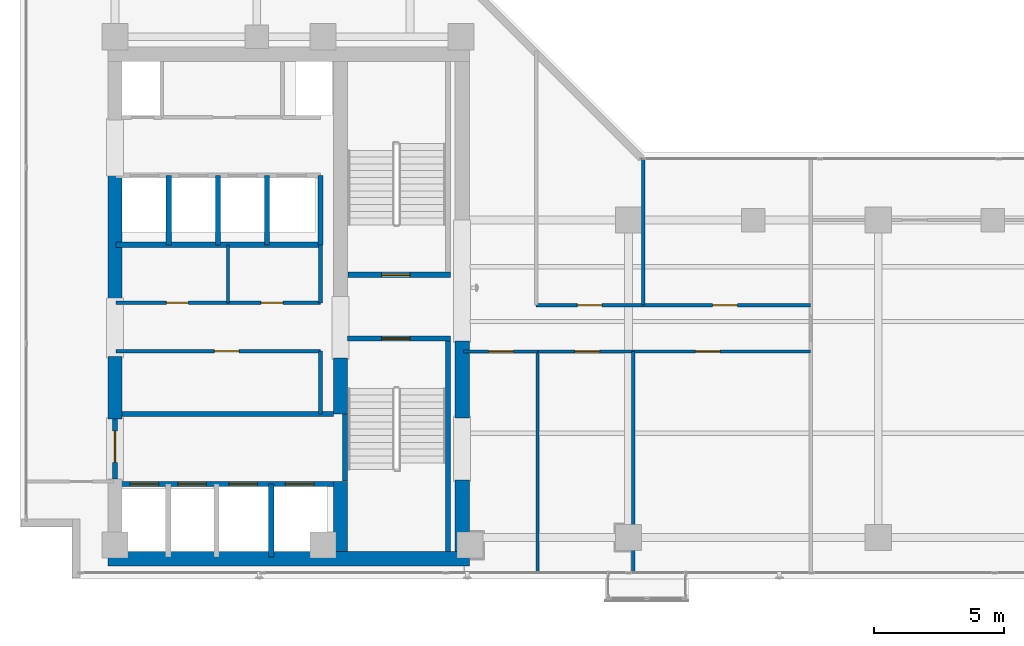
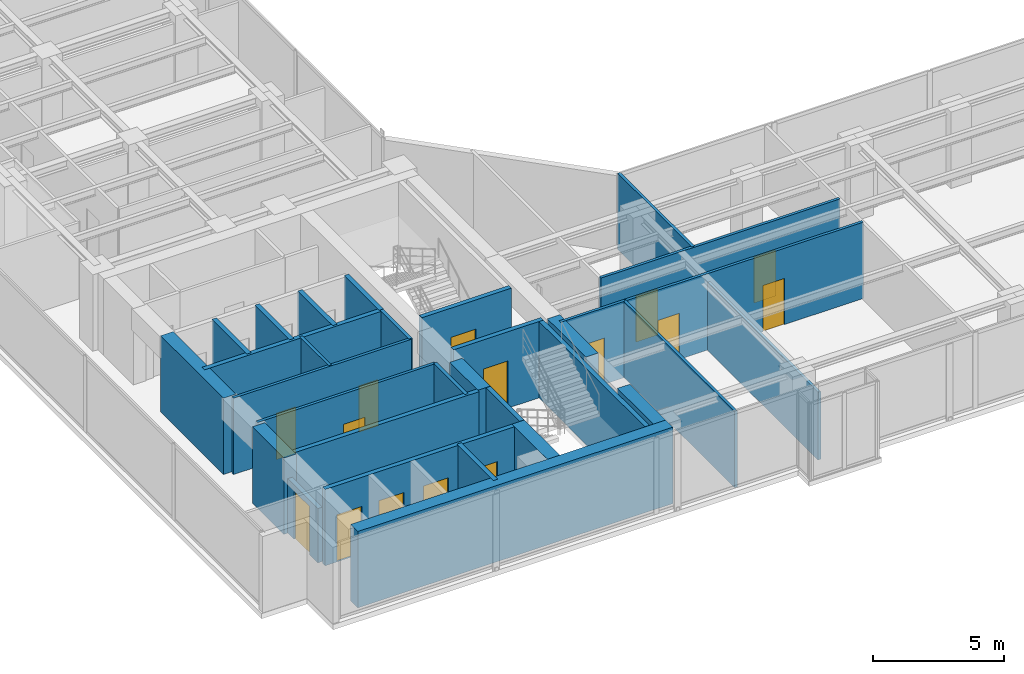
# One storey, part 17 of 23: 31 walls, 15 doors, 15 openings.
"""IFC4 building model written with IfcOpenShell, lengths in metres."""

import ifcopenshell
import ifcopenshell.guid

model = None  # the IFC model being written
_history = None  # IfcOwnerHistory: only IFC2X3 demands one
_inside = {}  # id of a spatial element -> (the spatial element, [elements in it])
_under = {}  # id of a project, library or spatial element -> (it, [spatial elements below it])
_declared = {}  # id of a project -> (the project, [libraries it declares])
_typed = {}  # id of a type object -> (the type object, [elements of that type])
_made_of = {}  # id of a material, layer set ... -> (it, [elements and type objects made of it])


def new_model(schema):
    """Start an empty IFC model of exactly this schema.

    Asked for "IFC4X3", IfcOpenShell would pick the latest addendum, in which some entities
    have other attributes; the version numbers below select the first issue.
    IFC2X3 requires an IfcOwnerHistory on every rooted entity: one is made here for all.
    """
    global model, _history
    if schema == "IFC4X3":
        model = ifcopenshell.file(schema_version=(4, 3, 0, 0))
    else:
        model = ifcopenshell.file(schema=schema)
    _inside.clear()
    _under.clear()
    _declared.clear()
    _typed.clear()
    _made_of.clear()
    _history = None
    if model.schema == "IFC2X3":
        org = make("IfcOrganization", Name="unknown")
        user = make(
            "IfcPersonAndOrganization",
            ThePerson=make("IfcPerson", FamilyName="unknown"),
            TheOrganization=org,
        )
        app = make(
            "IfcApplication",
            ApplicationDeveloper=org,
            Version="unknown",
            ApplicationFullName="unknown",
            ApplicationIdentifier="unknown",
        )
        _history = make(
            "IfcOwnerHistory",
            OwningUser=user,
            OwningApplication=app,
            ChangeAction="ADDED",
            CreationDate=0,
        )
    return model


def make(cls, **values):
    """One entity of the class cls with the attributes given. An attribute that is None is left unset."""
    return model.create_entity(
        cls, **{name: value for name, value in values.items() if value is not None}
    )


def rooted(cls, **values):
    """An entity with a GlobalId (a new one), such as an element, a storey or a relation."""
    return make(cls, GlobalId=ifcopenshell.guid.new(), OwnerHistory=_history, **values)


def si_unit(unit_type, name, prefix=None):
    """IfcSIUnit, for example si_unit("LENGTHUNIT", "METRE", prefix="MILLI")."""
    return make("IfcSIUnit", UnitType=unit_type, Prefix=prefix, Name=name)


def assignment(units):
    """IfcUnitAssignment: the units of a project."""
    return None if units is None else make("IfcUnitAssignment", Units=units)


def point(xyz):
    """IfcCartesianPoint."""
    return None if xyz is None else make("IfcCartesianPoint", Coordinates=xyz)


def direction(xyz):
    """IfcDirection."""
    return None if xyz is None else make("IfcDirection", DirectionRatios=xyz)


def frame(location, z_axis=None, x_axis=None):
    """IfcAxis2Placement3D, a coordinate frame: its origin and axes. An axis left out is left unset."""
    return make(
        "IfcAxis2Placement3D",
        Location=point(location),
        Axis=direction(z_axis),
        RefDirection=direction(x_axis),
    )


def frame_2d(location, x_axis=None):
    """IfcAxis2Placement2D, a coordinate frame in the plane: its origin and x axis."""
    return make(
        "IfcAxis2Placement2D", Location=point(location), RefDirection=direction(x_axis)
    )


def origin():
    """The frame at (0, 0, 0) with its axes left unset."""
    return frame((0.0, 0.0, 0.0))


def place(relative_to, where):
    """IfcLocalPlacement: puts the frame where relative to a parent placement (None: the world)."""
    return make(
        "IfcLocalPlacement", PlacementRelTo=relative_to, RelativePlacement=where
    )


def context(
    kind, dimensions, precision=None, world=None, true_north=None, identifier=None
):
    """IfcGeometricRepresentationContext, for example the 3D "Model" context."""
    return make(
        "IfcGeometricRepresentationContext",
        ContextIdentifier=identifier,
        ContextType=kind,
        CoordinateSpaceDimension=dimensions,
        Precision=precision,
        WorldCoordinateSystem=world,
        TrueNorth=true_north,
    )


def subcontext(parent, identifier, kind, view, scale=None):
    """IfcGeometricRepresentationSubContext, for example "Body" below "Model"."""
    return make(
        "IfcGeometricRepresentationSubContext",
        ContextIdentifier=identifier,
        ContextType=kind,
        ParentContext=parent,
        TargetScale=scale,
        TargetView=view,
    )


def project(units=None, contexts=None):
    """IfcProject with its units and contexts."""
    return rooted(
        "IfcProject",
        Name="project",
        RepresentationContexts=contexts,
        UnitsInContext=assignment(units),
    )


def spatial(cls, under=None, at=None, **own):
    """A site, building, storey or space (cls), placed at a placement, below another one or the project."""
    s = rooted(cls, ObjectPlacement=at, **own)
    if under is not None:
        _under.setdefault(under.id(), (under, []))[1].append(s)
    return s


def profile(cls, at=None, kind="AREA", **sizes):
    """A parametric profile (cls). Its sizes go by their IFC names, for example OverallWidth=200.0."""
    return make(cls, ProfileType=kind, Position=at, **sizes)


def rectangle(**sizes):
    """IfcRectangleProfileDef."""
    return profile("IfcRectangleProfileDef", **sizes)


def extrude(swept, where, along, depth):
    """IfcExtrudedAreaSolid: the profile swept, set in the frame where, extruded along a direction by depth."""
    return make(
        "IfcExtrudedAreaSolid",
        SweptArea=swept,
        Position=where,
        ExtrudedDirection=direction(along),
        Depth=depth,
    )


def shape(context_of_items, identifier, shape_type, items):
    """IfcShapeRepresentation: the items that make up one representation, for example the "Body"."""
    return make(
        "IfcShapeRepresentation",
        ContextOfItems=context_of_items,
        RepresentationIdentifier=identifier,
        RepresentationType=shape_type,
        Items=items,
    )


def material(Name=None, Category=None):
    """IfcMaterial."""
    return make("IfcMaterial", Name=Name, Category=Category)


def layer(
    of_material, thickness, ventilated=None, Name=None, Category=None, Priority=None
):
    """IfcMaterialLayer: one layer of a wall or slab, of a material (None: an air gap)."""
    return make(
        "IfcMaterialLayer",
        Material=of_material,
        LayerThickness=thickness,
        IsVentilated=ventilated,
        Name=Name,
        Category=Category,
        Priority=Priority,
    )


def layer_set(layers, Name=None):
    """IfcMaterialLayerSet."""
    return make("IfcMaterialLayerSet", MaterialLayers=layers, LayerSetName=Name)


def made_of(thing, what):
    """Note that an element or type object is made of a material, layer set ...; save() writes the relation."""
    if what is not None:
        _made_of.setdefault(what.id(), (what, []))[1].append(thing)
    return thing


def type_object(cls, material=None, **own):
    """A type object (cls), such as IfcWallType, which elements share."""
    return made_of(rooted(cls, **own), material)


def element(
    cls,
    number,
    at=None,
    inside=None,
    cuts=None,
    type_object=None,
    material=None,
    context=None,
    identifier="Body",
    shape_type=None,
    held_by="IfcProductDefinitionShape",
    body=None,
    shapes=None,
    **own,
):
    """One element of the class cls, such as IfcWall. Its Tag is "e" and its number.

    at: its placement. inside: the storey or other place that contains it. cuts: it is an
    opening in that element (IfcRelVoidsElement). A single representation is given by context,
    identifier, shape_type and body (its items); several are given by shapes. held_by: the class
    of the entity that holds the representations. save() writes the other relations.
    """
    e = rooted(cls, Tag="e%d" % number, ObjectPlacement=at, **own)
    if body is not None:
        shapes = [shape(context, identifier, shape_type, body)]
    if shapes is not None:
        e.Representation = make(held_by, Representations=shapes)
    if inside is not None:
        _inside.setdefault(inside.id(), (inside, []))[1].append(e)
    if cuts is not None:
        rooted(
            "IfcRelVoidsElement", RelatingBuildingElement=cuts, RelatedOpeningElement=e
        )
    if type_object is not None:
        _typed.setdefault(type_object.id(), (type_object, []))[1].append(e)
    return made_of(e, material)


def fill(opening, filler):
    """IfcRelFillsElement: the door or window that sits in an opening."""
    return rooted(
        "IfcRelFillsElement",
        RelatingOpeningElement=opening,
        RelatedBuildingElement=filler,
    )


def aggregate(whole, parts):
    """IfcRelAggregates: a whole, such as a stair, and the parts it consists of."""
    return rooted("IfcRelAggregates", RelatingObject=whole, RelatedObjects=parts)


def save(model, path):
    """Write the relations noted so far, then the file.

    IfcRelAggregates (storeys below a building ...), IfcRelContainedInSpatialStructure (elements
    in a storey), IfcRelDefinesByType, IfcRelAssociatesMaterial and IfcRelDeclares: one each for
    every whole, place, type object, material and project.
    """
    for whole, parts in _under.values():
        aggregate(whole, parts)
    for where, things in _inside.values():
        rooted(
            "IfcRelContainedInSpatialStructure",
            RelatedElements=things,
            RelatingStructure=where,
        )
    for kind, things in _typed.values():
        rooted("IfcRelDefinesByType", RelatedObjects=things, RelatingType=kind)
    for what, things in _made_of.values():
        rooted("IfcRelAssociatesMaterial", RelatedObjects=things, RelatingMaterial=what)
    for by, libraries in _declared.values():
        rooted("IfcRelDeclares", RelatingContext=by, RelatedDefinitions=libraries)
    model.write(path)


model = new_model("IFC4")

# Units and contexts
model_context = context("Model", 3, precision=1e-05, world=origin(), true_north=direction((0.0, 1.0)))
body_context = subcontext(model_context, "Body", "Model", "MODEL_VIEW")
ifc_project = project(units=[si_unit("LENGTHUNIT", "METRE"), si_unit("AREAUNIT", "SQUARE_METRE"), si_unit("VOLUMEUNIT", "CUBIC_METRE"), si_unit("PLANEANGLEUNIT", "RADIAN"), si_unit("MASSUNIT", "GRAM", prefix="KILO")], contexts=[model_context])

# Site, building, storey
site_placement = place(None, origin())
site = spatial("IfcSite", under=ifc_project, at=site_placement, CompositionType="ELEMENT")
building_placement = place(site_placement, origin())
building = spatial("IfcBuilding", under=site, at=building_placement, Name="Kolvaren Waterfront Exchange", CompositionType="ELEMENT")
storey_placement = place(building_placement, frame((0.0, 0.0, 231.10009765625)))
storey = spatial("IfcBuildingStorey", under=building, at=storey_placement, Name="L59", CompositionType="ELEMENT", Elevation=231.10009765625)

# Wall, opening, door
ifc_material_1 = material(Name="Precast concrete C40/50", Category="concrete")
ifc_layer_1 = layer(ifc_material_1, 0.199951171875, Name="Precast concrete C40/50")
ifc_layer_set_1 = layer_set([ifc_layer_1], Name="Precast concrete C40/50")
wall_type_1 = type_object("IfcWallType", Name="ARC-FIRE-200", PredefinedType="PARTITIONING", material=ifc_layer_set_1)
wall_1_placement = place(storey_placement, frame((16.39990234375, 12.85009765625, 0.0), z_axis=(0.0, 0.0, 1.0), x_axis=(1.0, 0.0, 0.0)))
wall_1 = element("IfcWall", 1, at=wall_1_placement, inside=storey, type_object=wall_type_1, Name="L59 interior wall PW-L59-ST1-THROAT-S", PredefinedType="PARTITIONING", context=body_context, shape_type="SweptSolid", body=[
    extrude(rectangle(XDim=3.960205078125, YDim=0.199951171875, at=frame_2d((1.97998046875, 0.0))), origin(), (0.0, 0.0, 1.0), 3.559814453125),
])
opening_1_placement = place(wall_1_placement, frame((1.3037109375, 0.0, 0.0)))
opening_1 = element("IfcOpeningElement", 2, at=opening_1_placement, cuts=wall_1, Name="Opening FD2", PredefinedType="OPENING", context=body_context, shape_type="SweptSolid", body=[
    extrude(rectangle(XDim=1.10009765625, YDim=2.199951171875, at=frame_2d((0.550048828125, 1.10009765625))), frame((0.0, 0.10986328125, 0.0), z_axis=(0.0, -1.0, 0.0), x_axis=(1.0, 0.0, 0.0)), (0.0, 0.0, 1.0), 0.219970703125),
])
ifc_material_2 = material(Name="Pressed steel smoke-seal fire door", Category="steel")
door_type_1 = type_object("IfcDoorType", Name="ARC-FD-1100", OperationType="NOTDEFINED", PredefinedType="DOOR", material=ifc_material_2)
door_1_placement = place(opening_1_placement, frame((1.10009765625, 0.0, 0.0), z_axis=(0.0, 0.0, 1.0), x_axis=(-1.0, 0.0, 0.0)))
door_1 = element("IfcDoor", 3, at=door_1_placement, inside=storey, type_object=door_type_1, Name="L59 door DR-L59-ST1-IN (FD2)", OperationType="SINGLE_SWING_LEFT", OverallHeight=2.199951171875, OverallWidth=1.10009765625, PredefinedType="DOOR", context=body_context, shape_type="SweptSolid", body=[
    extrude(rectangle(XDim=1.10009765625, YDim=2.199951171875, at=frame_2d((0.550048828125, 1.10009765625))), frame((0.0, 0.02490234375, 0.0), z_axis=(0.0, -1.0, 0.0), x_axis=(1.0, 0.0, 0.0)), (0.0, 0.0, 1.0), 0.050048828125),
])
fill(opening_1, door_1)

wall_2_placement = place(storey_placement, frame((16.409912109375, 15.300048828125, 0.0), z_axis=(0.0, 0.0, 1.0), x_axis=(1.0, 0.0, 0.0)))
wall_2 = element("IfcWall", 4, at=wall_2_placement, inside=storey, type_object=wall_type_1, Name="L59 interior wall PW-L59-ST2-THROAT-N", PredefinedType="PARTITIONING", context=body_context, shape_type="SweptSolid", body=[
    extrude(rectangle(XDim=3.9501953125, YDim=0.199951171875, at=frame_2d((1.97509765625, 0.0))), origin(), (0.0, 0.0, 1.0), 3.559814453125),
])
opening_2_placement = place(wall_2_placement, frame((1.293701171875, 0.0, 0.0)))
opening_2 = element("IfcOpeningElement", 5, at=opening_2_placement, cuts=wall_2, Name="Opening FD2", PredefinedType="OPENING", context=body_context, shape_type="SweptSolid", body=[
    extrude(rectangle(XDim=1.10009765625, YDim=2.199951171875, at=frame_2d((0.550048828125, 1.10009765625))), frame((0.0, 0.10986328125, 0.0), z_axis=(0.0, -1.0, 0.0), x_axis=(1.0, 0.0, 0.0)), (0.0, 0.0, 1.0), 0.219970703125),
])
door_2_placement = place(opening_2_placement, origin())
door_2 = element("IfcDoor", 6, at=door_2_placement, inside=storey, type_object=door_type_1, Name="L59 door DR-L59-ST2-IN (FD2)", OperationType="SINGLE_SWING_RIGHT", OverallHeight=2.199951171875, OverallWidth=1.10009765625, PredefinedType="DOOR", context=body_context, shape_type="SweptSolid", body=[
    extrude(rectangle(XDim=1.10009765625, YDim=2.199951171875, at=frame_2d((0.550048828125, 1.10009765625))), frame((0.0, 0.02490234375, 0.0), z_axis=(0.0, -1.0, 0.0), x_axis=(1.0, 0.0, 0.0)), (0.0, 0.0, 1.0), 0.050048828125),
])
fill(opening_2, door_2)

# Wall
wall_3_placement = place(storey_placement, frame((7.5, 9.949951171875, 0.0), z_axis=(0.0, 0.0, 1.0), x_axis=(1.0, 0.0, 0.0)))
element("IfcWall", 7, at=wall_3_placement, inside=storey, type_object=wall_type_1, Name="L59 interior wall PW-L59-FF-N", PredefinedType="PARTITIONING", context=body_context, shape_type="SweptSolid", body=[
    extrude(rectangle(XDim=8.35009765625, YDim=0.199951171875, at=frame_2d((4.175048828125, 0.0))), origin(), (0.0, 0.0, 1.0), 3.559814453125),
])

# Wall, opening, door
wall_4_placement = place(storey_placement, frame((7.449951171875, 7.449951171875, 0.0), z_axis=(0.0, 0.0, 1.0), x_axis=(0.0, 1.0, 0.0)))
wall_4 = element("IfcWall", 8, at=wall_4_placement, inside=storey, type_object=wall_type_1, Name="L59 interior wall PW-L59-FF-W-DOOR", PredefinedType="PARTITIONING", context=body_context, shape_type="SweptSolid", body=[
    extrude(rectangle(XDim=2.300048828125, YDim=0.199951171875, at=frame_2d((1.14990234375, 0.0))), origin(), (0.0, 0.0, 1.0), 2.539794921875),
])
opening_3_placement = place(wall_4_placement, frame((0.63330078125, 0.0, 0.0)))
opening_3 = element("IfcOpeningElement", 9, at=opening_3_placement, cuts=wall_4, Name="Opening FD3", PredefinedType="OPENING", context=body_context, shape_type="SweptSolid", body=[
    extrude(rectangle(XDim=1.199951171875, YDim=2.25, at=frame_2d((0.60009765625, 1.125))), frame((0.0, 0.10986328125, 0.0), z_axis=(0.0, -1.0, 0.0), x_axis=(1.0, 0.0, 0.0)), (0.0, 0.0, 1.0), 0.219970703125),
])
ifc_material_3 = material(Name="Pressed steel fire door", Category="steel")
door_type_2 = type_object("IfcDoorType", Name="ARC-FD-1200", OperationType="NOTDEFINED", PredefinedType="DOOR", material=ifc_material_3)
door_3_placement = place(opening_3_placement, frame((1.199951171875, 0.0, 0.0), z_axis=(0.0, 0.0, 1.0), x_axis=(-1.0, 0.0, 0.0)))
door_3 = element("IfcDoor", 10, at=door_3_placement, inside=storey, type_object=door_type_2, Name="L59 door DR-L59-FF-OUT (FD3)", OperationType="SINGLE_SWING_LEFT", OverallHeight=2.25, OverallWidth=1.199951171875, PredefinedType="DOOR", context=body_context, shape_type="SweptSolid", body=[
    extrude(rectangle(XDim=1.199951171875, YDim=2.25, at=frame_2d((0.60009765625, 1.125))), frame((0.0, 0.02490234375, 0.0), z_axis=(0.0, -1.0, 0.0), x_axis=(1.0, 0.0, 0.0)), (0.0, 0.0, 1.0), 0.050048828125),
])
fill(opening_3, door_3)

ifc_material_4 = material(Name="Acoustic gypsum steel stud", Category="steel")
ifc_layer_2 = layer(ifc_material_4, 0.125, Name="Acoustic gypsum steel stud")
ifc_layer_set_2 = layer_set([ifc_layer_2], Name="Acoustic gypsum steel stud")
wall_type_2 = type_object("IfcWallType", Name="ARC-PART-125", PredefinedType="PARTITIONING", material=ifc_layer_set_2)
wall_5_placement = place(storey_placement, frame((7.5, 12.360107421875, 0.0), z_axis=(0.0, 0.0, 1.0), x_axis=(1.0, 0.0, 0.0)))
wall_5 = element("IfcWall", 11, at=wall_5_placement, inside=storey, type_object=wall_type_2, Name="L59 interior wall PW-L59-REC-HI-S", PredefinedType="PARTITIONING", context=body_context, shape_type="SweptSolid", body=[
    extrude(rectangle(XDim=7.85009765625, YDim=0.125, at=frame_2d((3.925048828125, 0.0))), origin(), (0.0, 0.0, 1.0), 3.559814453125),
])
opening_4_placement = place(wall_5_placement, frame((3.77490234375, 0.0, 0.0)))
opening_4 = element("IfcOpeningElement", 12, at=opening_4_placement, cuts=wall_5, Name="Opening D02", PredefinedType="OPENING", context=body_context, shape_type="SweptSolid", body=[
    extrude(rectangle(XDim=0.949951171875, YDim=2.14990234375, at=frame_2d((0.47509765625, 1.074951171875))), frame((0.0, 0.072509765625, 0.0), z_axis=(0.0, -1.0, 0.0), x_axis=(1.0, 0.0, 0.0)), (0.0, 0.0, 1.0), 0.14501953125),
])
ifc_material_5 = material(Name="Oak veneer acoustic timber", Category="wood")
door_type_3 = type_object("IfcDoorType", Name="ARC-DR-950", OperationType="NOTDEFINED", PredefinedType="DOOR", material=ifc_material_5)
door_4_placement = place(opening_4_placement, origin())
door_4 = element("IfcDoor", 13, at=door_4_placement, inside=storey, type_object=door_type_3, Name="L59 door DR-L59-REC-HI-D1 (D02)", OperationType="SINGLE_SWING_RIGHT", OverallHeight=2.14990234375, OverallWidth=0.949951171875, PredefinedType="DOOR", context=body_context, shape_type="SweptSolid", body=[
    extrude(rectangle(XDim=0.949951171875, YDim=2.14990234375, at=frame_2d((0.47509765625, 1.074951171875))), frame((0.0, 0.02490234375, 0.0), z_axis=(0.0, -1.0, 0.0), x_axis=(1.0, 0.0, 0.0)), (0.0, 0.0, 1.0), 0.050048828125),
])
fill(opening_4, door_4)

# Wall, openings, doors
wall_6_placement = place(storey_placement, frame((7.5, 14.219970703125, 0.0), z_axis=(0.0, 0.0, 1.0), x_axis=(1.0, 0.0, 0.0)))
wall_6 = element("IfcWall", 14, at=wall_6_placement, inside=storey, type_object=wall_type_2, Name="L59 interior wall PW-L59-REC-HI-N", PredefinedType="PARTITIONING", context=body_context, shape_type="SweptSolid", body=[
    extrude(rectangle(XDim=7.85009765625, YDim=0.125, at=frame_2d((3.925048828125, 0.0))), origin(), (0.0, 0.0, 1.0), 3.559814453125),
])
opening_5_placement = place(wall_6_placement, frame((1.925048828125, 0.0, 0.0)))
opening_5 = element("IfcOpeningElement", 15, at=opening_5_placement, cuts=wall_6, Name="Opening D01", PredefinedType="OPENING", context=body_context, shape_type="SweptSolid", body=[
    extrude(rectangle(XDim=0.85009765625, YDim=2.14990234375, at=frame_2d((0.425048828125, 1.074951171875))), frame((0.0, 0.072509765625, 0.0), z_axis=(0.0, -1.0, 0.0), x_axis=(1.0, 0.0, 0.0)), (0.0, 0.0, 1.0), 0.14501953125),
])
opening_6_placement = place(wall_6_placement, frame((5.56298828125, 0.0, 0.0)))
opening_6 = element("IfcOpeningElement", 16, at=opening_6_placement, cuts=wall_6, Name="Opening D01", PredefinedType="OPENING", context=body_context, shape_type="SweptSolid", body=[
    extrude(rectangle(XDim=0.85009765625, YDim=2.14990234375, at=frame_2d((0.425048828125, 1.074951171875))), frame((0.0, 0.072509765625, 0.0), z_axis=(0.0, -1.0, 0.0), x_axis=(1.0, 0.0, 0.0)), (0.0, 0.0, 1.0), 0.14501953125),
])
ifc_material_6 = material(Name="Oak veneer timber leaf", Category="wood")
door_type_4 = type_object("IfcDoorType", Name="ARC-DR-900", OperationType="NOTDEFINED", PredefinedType="DOOR", material=ifc_material_6)
door_5_placement = place(opening_5_placement, origin())
door_5 = element("IfcDoor", 17, at=door_5_placement, inside=storey, type_object=door_type_4, Name="L59 door DR-L59-REC-HI-D2 (D01)", OperationType="SINGLE_SWING_LEFT", OverallHeight=2.14990234375, OverallWidth=0.85009765625, PredefinedType="DOOR", context=body_context, shape_type="SweptSolid", body=[
    extrude(rectangle(XDim=0.85009765625, YDim=2.14990234375, at=frame_2d((0.425048828125, 1.074951171875))), frame((0.0, 0.02490234375, 0.0), z_axis=(0.0, -1.0, 0.0), x_axis=(1.0, 0.0, 0.0)), (0.0, 0.0, 1.0), 0.050048828125),
])
fill(opening_5, door_5)
door_6_placement = place(opening_6_placement, origin())
door_6 = element("IfcDoor", 18, at=door_6_placement, inside=storey, type_object=door_type_4, Name="L59 door DR-L59-REC-HI-D3 (D01)", OperationType="SINGLE_SWING_RIGHT", OverallHeight=2.14990234375, OverallWidth=0.85009765625, PredefinedType="DOOR", context=body_context, shape_type="SweptSolid", body=[
    extrude(rectangle(XDim=0.85009765625, YDim=2.14990234375, at=frame_2d((0.425048828125, 1.074951171875))), frame((0.0, 0.02490234375, 0.0), z_axis=(0.0, -1.0, 0.0), x_axis=(1.0, 0.0, 0.0)), (0.0, 0.0, 1.0), 0.050048828125),
])
fill(opening_6, door_6)

# Wall
wall_7_placement = place(storey_placement, frame((11.800048828125, 14.219970703125, 0.0), z_axis=(0.0, 0.0, 1.0), x_axis=(0.0, 1.0, 0.0)))
element("IfcWall", 19, at=wall_7_placement, inside=storey, type_object=wall_type_2, Name="L59 interior wall PW-L59-REC-HI-MN2", PredefinedType="PARTITIONING", context=body_context, shape_type="SweptSolid", body=[
    extrude(rectangle(XDim=2.22998046875, YDim=0.125, at=frame_2d((1.114990234375, 0.0))), origin(), (0.0, 0.0, 1.0), 3.559814453125),
])

# Wall, opening, door
wall_8_placement = place(storey_placement, frame((20.85009765625, 12.35009765625, 0.0), z_axis=(0.0, 0.0, 1.0), x_axis=(1.0, 0.0, 0.0)))
wall_8 = element("IfcWall", 20, at=wall_8_placement, inside=storey, type_object=wall_type_2, Name="L59 interior wall PW-L59-SWST3-N", PredefinedType="PARTITIONING", context=body_context, shape_type="SweptSolid", body=[
    extrude(rectangle(XDim=2.849853515625, YDim=0.125, at=frame_2d((1.4248046875, 0.0))), origin(), (0.0, 0.0, 1.0), 3.559814453125),
])
opening_7_placement = place(wall_8_placement, frame((0.971435546875, 0.0, 0.0)))
opening_7 = element("IfcOpeningElement", 21, at=opening_7_placement, cuts=wall_8, Name="Opening D02", PredefinedType="OPENING", context=body_context, shape_type="SweptSolid", body=[
    extrude(rectangle(XDim=0.949951171875, YDim=2.14990234375, at=frame_2d((0.47509765625, 1.074951171875))), frame((0.0, 0.072509765625, 0.0), z_axis=(0.0, -1.0, 0.0), x_axis=(1.0, 0.0, 0.0)), (0.0, 0.0, 1.0), 0.14501953125),
])
door_7_placement = place(opening_7_placement, origin())
door_7 = element("IfcDoor", 22, at=door_7_placement, inside=storey, type_object=door_type_3, Name="L59 door DR-L59-SWST3-D (D02)", OperationType="SINGLE_SWING_RIGHT", OverallHeight=2.14990234375, OverallWidth=0.949951171875, PredefinedType="DOOR", context=body_context, shape_type="SweptSolid", body=[
    extrude(rectangle(XDim=0.949951171875, YDim=2.14990234375, at=frame_2d((0.47509765625, 1.074951171875))), frame((0.0, 0.02490234375, 0.0), z_axis=(0.0, -1.0, 0.0), x_axis=(1.0, 0.0, 0.0)), (0.0, 0.0, 1.0), 0.050048828125),
])
fill(opening_7, door_7)

# Wall
wall_9_placement = place(storey_placement, frame((23.699951171875, 3.840087890625, 0.0), z_axis=(0.0, 0.0, 1.0), x_axis=(0.0, 1.0, 0.0)))
element("IfcWall", 23, at=wall_9_placement, inside=storey, type_object=wall_type_2, Name="L59 interior wall PW-L59-ES-W0", PredefinedType="PARTITIONING", context=body_context, shape_type="SweptSolid", body=[
    extrude(rectangle(XDim=8.510009765625, YDim=0.125, at=frame_2d((4.2548828125, 0.0))), origin(), (0.0, 0.0, 1.0), 3.559814453125),
])

# Wall, openings, doors
wall_10_placement = place(storey_placement, frame((23.699951171875, 12.35009765625, 0.0), z_axis=(0.0, 0.0, 1.0), x_axis=(1.0, 0.0, 0.0)))
wall_10 = element("IfcWall", 24, at=wall_10_placement, inside=storey, type_object=wall_type_2, Name="L59 interior wall PW-L59-ES-CORR", PredefinedType="PARTITIONING", context=body_context, shape_type="SweptSolid", body=[
    extrude(rectangle(XDim=10.5, YDim=0.125, at=frame_2d((5.25, 0.0))), origin(), (0.0, 0.0, 1.0), 3.559814453125),
])
opening_8_placement = place(wall_10_placement, frame((1.439208984375, 0.0, 0.0)))
opening_8 = element("IfcOpeningElement", 25, at=opening_8_placement, cuts=wall_10, Name="Opening D02", PredefinedType="OPENING", context=body_context, shape_type="SweptSolid", body=[
    extrude(rectangle(XDim=0.949951171875, YDim=2.14990234375, at=frame_2d((0.47509765625, 1.074951171875))), frame((0.0, 0.072509765625, 0.0), z_axis=(0.0, -1.0, 0.0), x_axis=(1.0, 0.0, 0.0)), (0.0, 0.0, 1.0), 0.14501953125),
])
opening_9_placement = place(wall_10_placement, frame((6.069091796875, 0.0, 0.0)))
opening_9 = element("IfcOpeningElement", 26, at=opening_9_placement, cuts=wall_10, Name="Opening D02", PredefinedType="OPENING", context=body_context, shape_type="SweptSolid", body=[
    extrude(rectangle(XDim=0.949951171875, YDim=2.14990234375, at=frame_2d((0.47509765625, 1.074951171875))), frame((0.0, 0.072509765625, 0.0), z_axis=(0.0, -1.0, 0.0), x_axis=(1.0, 0.0, 0.0)), (0.0, 0.0, 1.0), 0.14501953125),
])
door_8_placement = place(opening_8_placement, origin())
door_8 = element("IfcDoor", 27, at=door_8_placement, inside=storey, type_object=door_type_3, Name="L59 door DR-L59-ES-D-1 (D02)", OperationType="SINGLE_SWING_LEFT", OverallHeight=2.14990234375, OverallWidth=0.949951171875, PredefinedType="DOOR", context=body_context, shape_type="SweptSolid", body=[
    extrude(rectangle(XDim=0.949951171875, YDim=2.14990234375, at=frame_2d((0.47509765625, 1.074951171875))), frame((0.0, 0.02490234375, 0.0), z_axis=(0.0, -1.0, 0.0), x_axis=(1.0, 0.0, 0.0)), (0.0, 0.0, 1.0), 0.050048828125),
])
fill(opening_8, door_8)
door_9_placement = place(opening_9_placement, origin())
door_9 = element("IfcDoor", 28, at=door_9_placement, inside=storey, type_object=door_type_3, Name="L59 door DR-L59-ES-D-2 (D02)", OperationType="SINGLE_SWING_RIGHT", OverallHeight=2.14990234375, OverallWidth=0.949951171875, PredefinedType="DOOR", context=body_context, shape_type="SweptSolid", body=[
    extrude(rectangle(XDim=0.949951171875, YDim=2.14990234375, at=frame_2d((0.47509765625, 1.074951171875))), frame((0.0, 0.02490234375, 0.0), z_axis=(0.0, -1.0, 0.0), x_axis=(1.0, 0.0, 0.0)), (0.0, 0.0, 1.0), 0.050048828125),
])
fill(opening_9, door_9)

# Wall
wall_11_placement = place(storey_placement, frame((27.3798828125, 3.840087890625, 0.0), z_axis=(0.0, 0.0, 1.0), x_axis=(0.0, 1.0, 0.0)))
element("IfcWall", 29, at=wall_11_placement, inside=storey, type_object=wall_type_2, Name="L59 interior wall PW-L59-ES-DIV-1", PredefinedType="PARTITIONING", context=body_context, shape_type="SweptSolid", body=[
    extrude(rectangle(XDim=8.510009765625, YDim=0.125, at=frame_2d((4.2548828125, 0.0))), origin(), (0.0, 0.0, 1.0), 3.159912109375),
])

# Wall, openings, doors
wall_12_placement = place(storey_placement, frame((23.64990234375, 14.1298828125, 0.0), z_axis=(0.0, 0.0, 1.0), x_axis=(1.0, 0.0, 0.0)))
wall_12 = element("IfcWall", 30, at=wall_12_placement, inside=storey, type_object=wall_type_2, Name="L59 interior wall PW-L59-EN-CORR", PredefinedType="PARTITIONING", context=body_context, shape_type="SweptSolid", body=[
    extrude(rectangle(XDim=10.550048828125, YDim=0.125, at=frame_2d((5.27490234375, 0.0))), origin(), (0.0, 0.0, 1.0), 3.559814453125),
])
opening_10_placement = place(wall_12_placement, frame((1.580078125, 0.0, 0.0)))
opening_10 = element("IfcOpeningElement", 31, at=opening_10_placement, cuts=wall_12, Name="Opening D02", PredefinedType="OPENING", context=body_context, shape_type="SweptSolid", body=[
    extrude(rectangle(XDim=0.949951171875, YDim=2.14990234375, at=frame_2d((0.47509765625, 1.074951171875))), frame((0.0, 0.072509765625, 0.0), z_axis=(0.0, -1.0, 0.0), x_axis=(1.0, 0.0, 0.0)), (0.0, 0.0, 1.0), 0.14501953125),
])
opening_11_placement = place(wall_12_placement, frame((6.783935546875, 0.0, 0.0)))
opening_11 = element("IfcOpeningElement", 32, at=opening_11_placement, cuts=wall_12, Name="Opening D02", PredefinedType="OPENING", context=body_context, shape_type="SweptSolid", body=[
    extrude(rectangle(XDim=0.949951171875, YDim=2.14990234375, at=frame_2d((0.47509765625, 1.074951171875))), frame((0.0, 0.072509765625, 0.0), z_axis=(0.0, -1.0, 0.0), x_axis=(1.0, 0.0, 0.0)), (0.0, 0.0, 1.0), 0.14501953125),
])
door_10_placement = place(opening_10_placement, origin())
door_10 = element("IfcDoor", 33, at=door_10_placement, inside=storey, type_object=door_type_3, Name="L59 door DR-L59-EN-D-1 (D02)", OperationType="SINGLE_SWING_LEFT", OverallHeight=2.14990234375, OverallWidth=0.949951171875, PredefinedType="DOOR", context=body_context, shape_type="SweptSolid", body=[
    extrude(rectangle(XDim=0.949951171875, YDim=2.14990234375, at=frame_2d((0.47509765625, 1.074951171875))), frame((0.0, 0.02490234375, 0.0), z_axis=(0.0, -1.0, 0.0), x_axis=(1.0, 0.0, 0.0)), (0.0, 0.0, 1.0), 0.050048828125),
])
fill(opening_10, door_10)
door_11_placement = place(opening_11_placement, origin())
door_11 = element("IfcDoor", 34, at=door_11_placement, inside=storey, type_object=door_type_3, Name="L59 door DR-L59-EN-D-2 (D02)", OperationType="SINGLE_SWING_RIGHT", OverallHeight=2.14990234375, OverallWidth=0.949951171875, PredefinedType="DOOR", context=body_context, shape_type="SweptSolid", body=[
    extrude(rectangle(XDim=0.949951171875, YDim=2.14990234375, at=frame_2d((0.47509765625, 1.074951171875))), frame((0.0, 0.02490234375, 0.0), z_axis=(0.0, -1.0, 0.0), x_axis=(1.0, 0.0, 0.0)), (0.0, 0.0, 1.0), 0.050048828125),
])
fill(opening_11, door_11)

# Walls
wall_13_placement = place(storey_placement, frame((27.760009765625, 14.1298828125, 0.0), z_axis=(0.0, 0.0, 1.0), x_axis=(0.0, 1.0, 0.0)))
element("IfcWall", 35, at=wall_13_placement, inside=storey, type_object=wall_type_2, Name="L59 interior wall PW-L59-EN-DIV-1", PredefinedType="PARTITIONING", context=body_context, shape_type="SweptSolid", body=[
    extrude(rectangle(XDim=5.670166015625, YDim=0.125, at=frame_2d((2.8349609375, 0.0))), origin(), (0.0, 0.0, 1.0), 3.559814453125),
])
ifc_material_7 = material(Name="Gypsum fireboard steel stud", Category="steel")
ifc_layer_3 = layer(ifc_material_7, 0.14990234375, Name="Gypsum fireboard steel stud")
ifc_layer_set_3 = layer_set([ifc_layer_3], Name="Gypsum fireboard steel stud")
wall_type_3 = type_object("IfcWallType", Name="ARC-PART-150", PredefinedType="PARTITIONING", material=ifc_layer_set_3)
wall_14_placement = place(storey_placement, frame((15.35009765625, 9.949951171875, 0.0), z_axis=(0.0, 0.0, 1.0), x_axis=(0.0, 1.0, 0.0)))
element("IfcWall", 36, at=wall_14_placement, inside=storey, type_object=wall_type_3, Name="L59 interior wall PW-L59-REC-HI-E1", PredefinedType="PARTITIONING", context=body_context, shape_type="SweptSolid", body=[
    extrude(rectangle(XDim=2.41015625, YDim=0.14990234375, at=frame_2d((1.205078125, 0.0))), origin(), (0.0, 0.0, 1.0), 3.559814453125),
])
wall_15_placement = place(storey_placement, frame((15.35009765625, 14.219970703125, 0.0), z_axis=(0.0, 0.0, 1.0), x_axis=(0.0, 1.0, 0.0)))
element("IfcWall", 37, at=wall_15_placement, inside=storey, type_object=wall_type_3, Name="L59 interior wall PW-L59-REC-HI-E2", PredefinedType="PARTITIONING", context=body_context, shape_type="SweptSolid", body=[
    extrude(rectangle(XDim=2.22998046875, YDim=0.14990234375, at=frame_2d((1.114990234375, 0.0))), origin(), (0.0, 0.0, 1.0), 3.559814453125),
])
ifc_material_8 = material(Name="Concrete C40/50", Category="concrete")
ifc_layer_4 = layer(ifc_material_8, 0.199951171875, Name="Concrete C40/50")
ifc_layer_set_4 = layer_set([ifc_layer_4], Name="Concrete C40/50")
wall_type_4 = type_object("IfcWallType", Name="ARC-SHAFT-200", PredefinedType="PARTITIONING", material=ifc_layer_set_4)
wall_16_placement = place(storey_placement, frame((16.300048828125, 7.360107421875, 0.0), z_axis=(0.0, 0.0, 1.0), x_axis=(0.0, 1.0, 0.0)))
element("IfcWall", 38, at=wall_16_placement, inside=storey, type_object=wall_type_4, Name="L59 structural stairwell wall PW-L59-ST1-W", PredefinedType="SHEAR", context=body_context, shape_type="SweptSolid", body=[
    extrude(rectangle(XDim=2.579833984375, YDim=0.199951171875, at=frame_2d((1.2900390625, 0.0))), origin(), (0.0, 0.0, 1.0), 3.559814453125),
])
wall_17_placement = place(storey_placement, frame((20.260009765625, 4.659912109375, 0.0), z_axis=(0.0, 0.0, 1.0), x_axis=(0.0, 1.0, 0.0)))
element("IfcWall", 39, at=wall_17_placement, inside=storey, type_object=wall_type_4, Name="L59 structural stairwell wall PW-L59-ST1-E", PredefinedType="SHEAR", context=body_context, shape_type="SweptSolid", body=[
    extrude(rectangle(XDim=8.090087890625, YDim=0.199951171875, at=frame_2d((4.044921875, 0.0))), origin(), (0.0, 0.0, 1.0), 3.559814453125),
])

# Wall, openings, doors
wall_18_placement = place(storey_placement, frame((7.5, 7.25, 0.0), z_axis=(0.0, 0.0, 1.0), x_axis=(1.0, 0.0, 0.0)))
wall_18 = element("IfcWall", 40, at=wall_18_placement, inside=storey, type_object=wall_type_4, Name="L59 interior wall PW-L59-FF-S", PredefinedType="PARTITIONING", context=body_context, shape_type="SweptSolid", body=[
    extrude(rectangle(XDim=8.35009765625, YDim=0.199951171875, at=frame_2d((4.175048828125, 0.0))), origin(), (0.0, 0.0, 1.0), 3.559814453125),
])
opening_12_placement = place(wall_18_placement, frame((0.530029296875, 0.0, 0.0)))
opening_12 = element("IfcOpeningElement", 41, at=opening_12_placement, cuts=wall_18, Name="Opening LD1", PredefinedType="OPENING", context=body_context, shape_type="SweptSolid", body=[
    extrude(rectangle(XDim=1.10009765625, YDim=2.199951171875, at=frame_2d((0.550048828125, 1.10009765625))), frame((0.0, 0.10986328125, 0.0), z_axis=(0.0, -1.0, 0.0), x_axis=(1.0, 0.0, 0.0)), (0.0, 0.0, 1.0), 0.219970703125),
])
opening_13_placement = place(wall_18_placement, frame((2.3701171875, 0.0, 0.0)))
opening_13 = element("IfcOpeningElement", 42, at=opening_13_placement, cuts=wall_18, Name="Opening LD1", PredefinedType="OPENING", context=body_context, shape_type="SweptSolid", body=[
    extrude(rectangle(XDim=1.10009765625, YDim=2.199951171875, at=frame_2d((0.550048828125, 1.10009765625))), frame((0.0, 0.10986328125, 0.0), z_axis=(0.0, -1.0, 0.0), x_axis=(1.0, 0.0, 0.0)), (0.0, 0.0, 1.0), 0.219970703125),
])
opening_14_placement = place(wall_18_placement, frame((4.330078125, 0.0, 0.0)))
opening_14 = element("IfcOpeningElement", 43, at=opening_14_placement, cuts=wall_18, Name="Opening LD1", PredefinedType="OPENING", context=body_context, shape_type="SweptSolid", body=[
    extrude(rectangle(XDim=1.10009765625, YDim=2.199951171875, at=frame_2d((0.550048828125, 1.10009765625))), frame((0.0, 0.10986328125, 0.0), z_axis=(0.0, -1.0, 0.0), x_axis=(1.0, 0.0, 0.0)), (0.0, 0.0, 1.0), 0.219970703125),
])
opening_15_placement = place(wall_18_placement, frame((6.5, 0.0, 0.0)))
opening_15 = element("IfcOpeningElement", 44, at=opening_15_placement, cuts=wall_18, Name="Opening LD1", PredefinedType="OPENING", context=body_context, shape_type="SweptSolid", body=[
    extrude(rectangle(XDim=1.10009765625, YDim=2.199951171875, at=frame_2d((0.550048828125, 1.10009765625))), frame((0.0, 0.10986328125, 0.0), z_axis=(0.0, -1.0, 0.0), x_axis=(1.0, 0.0, 0.0)), (0.0, 0.0, 1.0), 0.219970703125),
])
ifc_material_9 = material(Name="Stainless steel sliding landing door", Category="steel")
door_type_5 = type_object("IfcDoorType", Name="ARC-LD-FF", OperationType="SLIDING_TO_LEFT", PredefinedType="DOOR", material=ifc_material_9)
door_12_placement = place(opening_12_placement, origin())
door_12 = element("IfcDoor", 45, at=door_12_placement, inside=storey, type_object=door_type_5, Name="L59 door LD-L59-FFL1 (LD1)", OperationType="SLIDING_TO_LEFT", OverallHeight=2.199951171875, OverallWidth=1.10009765625, PredefinedType="DOOR", context=body_context, shape_type="SweptSolid", body=[
    extrude(rectangle(XDim=1.10009765625, YDim=2.199951171875, at=frame_2d((0.550048828125, 1.10009765625))), frame((0.0, 0.02490234375, 0.0), z_axis=(0.0, -1.0, 0.0), x_axis=(1.0, 0.0, 0.0)), (0.0, 0.0, 1.0), 0.050048828125),
])
fill(opening_12, door_12)
door_13_placement = place(opening_13_placement, origin())
door_13 = element("IfcDoor", 46, at=door_13_placement, inside=storey, type_object=door_type_5, Name="L59 door LD-L59-FFL2 (LD1)", OperationType="SLIDING_TO_LEFT", OverallHeight=2.199951171875, OverallWidth=1.10009765625, PredefinedType="DOOR", context=body_context, shape_type="SweptSolid", body=[
    extrude(rectangle(XDim=1.10009765625, YDim=2.199951171875, at=frame_2d((0.550048828125, 1.10009765625))), frame((0.0, 0.02490234375, 0.0), z_axis=(0.0, -1.0, 0.0), x_axis=(1.0, 0.0, 0.0)), (0.0, 0.0, 1.0), 0.050048828125),
])
fill(opening_13, door_13)
door_14_placement = place(opening_14_placement, origin())
door_14 = element("IfcDoor", 47, at=door_14_placement, inside=storey, type_object=door_type_5, Name="L59 door LD-L59-GL1 (LD1)", OperationType="SLIDING_TO_LEFT", OverallHeight=2.199951171875, OverallWidth=1.10009765625, PredefinedType="DOOR", context=body_context, shape_type="SweptSolid", body=[
    extrude(rectangle(XDim=1.10009765625, YDim=2.199951171875, at=frame_2d((0.550048828125, 1.10009765625))), frame((0.0, 0.02490234375, 0.0), z_axis=(0.0, -1.0, 0.0), x_axis=(1.0, 0.0, 0.0)), (0.0, 0.0, 1.0), 0.050048828125),
])
fill(opening_14, door_14)
door_15_placement = place(opening_15_placement, origin())
door_15 = element("IfcDoor", 48, at=door_15_placement, inside=storey, type_object=door_type_5, Name="L59 door LD-L59-GL2 (LD1)", OperationType="SLIDING_TO_LEFT", OverallHeight=2.199951171875, OverallWidth=1.10009765625, PredefinedType="DOOR", context=body_context, shape_type="SweptSolid", body=[
    extrude(rectangle(XDim=1.10009765625, YDim=2.199951171875, at=frame_2d((0.550048828125, 1.10009765625))), frame((0.0, 0.02490234375, 0.0), z_axis=(0.0, -1.0, 0.0), x_axis=(1.0, 0.0, 0.0)), (0.0, 0.0, 1.0), 0.050048828125),
])
fill(opening_15, door_15)

# Walls
wall_19_placement = place(storey_placement, frame((13.4599609375, 4.449951171875, 0.0), z_axis=(0.0, 0.0, 1.0), x_axis=(0.0, 1.0, 0.0)))
element("IfcWall", 49, at=wall_19_placement, inside=storey, type_object=wall_type_4, Name="L59 interior wall PW-L59-SH1-DIV-134", PredefinedType="PARTITIONING", context=body_context, shape_type="SweptSolid", body=[
    extrude(rectangle(XDim=2.800048828125, YDim=0.199951171875, at=frame_2d((1.39990234375, 0.0))), origin(), (0.0, 0.0, 1.0), 3.559814453125),
])
wall_20_placement = place(storey_placement, frame((7.5, 16.449951171875, 0.0), z_axis=(0.0, 0.0, 1.0), x_axis=(1.0, 0.0, 0.0)))
element("IfcWall", 50, at=wall_20_placement, inside=storey, type_object=wall_type_4, Name="L59 interior wall PW-L59-REC-PM-N", PredefinedType="PARTITIONING", context=body_context, shape_type="SweptSolid", body=[
    extrude(rectangle(XDim=7.85009765625, YDim=0.199951171875, at=frame_2d((3.925048828125, 0.0))), origin(), (0.0, 0.0, 1.0), 3.559814453125),
])
for number, where, z_axis, x_axis, name in (
    (51, (15.35009765625, 16.449951171875, 0.0), (0.0, 0.0, 1.0), (0.0, 1.0, 0.0), "L59 interior wall PW-L59-PH-E"),
    (52, (9.52001953125, 16.449951171875, 0.0), (0.0, 0.0, 1.0), (0.0, 1.0, 0.0), "L59 interior wall PW-L59-SH4-DIV-95"),
    (53, (11.409912109375, 16.449951171875, 0.0), (0.0, 0.0, 1.0), (0.0, 1.0, 0.0), "L59 interior wall PW-L59-SH4-DIV-114"),
    (54, (13.300048828125, 16.449951171875, 0.0), (0.0, 0.0, 1.0), (0.0, 1.0, 0.0), "L59 interior wall PW-L59-SH4-DIV-133"),
):
    element("IfcWall", number, at=place(storey_placement, frame(where, z_axis=z_axis, x_axis=x_axis)), inside=storey, type_object=wall_type_4, Name=name, PredefinedType="PARTITIONING", context=body_context, shape_type="SweptSolid", body=[
        extrude(rectangle(XDim=2.670166015625, YDim=0.199951171875, at=frame_2d((1.3349609375, 0.0))), origin(), (0.0, 0.0, 1.0), 3.559814453125),
    ])
ifc_material_10 = material(Name="Concrete C50/60", Category="concrete")
ifc_layer_5 = layer(ifc_material_10, 0.550048828125, Name="Concrete C50/60")
ifc_layer_set_5 = layer_set([ifc_layer_5], Name="Concrete C50/60")
wall_type_5 = type_object("IfcWallType", Name="STR-CWALL-550", PredefinedType="SHEAR", material=ifc_layer_set_5)
wall_21_placement = place(storey_placement, frame((7.175048828125, 4.375, 0.0), z_axis=(0.0, 0.0, 1.0), x_axis=(1.0, 0.0, 0.0)))
element("IfcWall", 55, at=wall_21_placement, inside=storey, type_object=wall_type_5, Name="L59 rear-core shear wall S", PredefinedType="SHEAR", context=body_context, shape_type="SweptSolid", body=[
    extrude(rectangle(XDim=13.89990234375, YDim=0.550048828125, at=frame_2d((6.949951171875, 0.0))), origin(), (0.0, 0.0, 1.0), 3.559814453125),
])
wall_22_placement = place(storey_placement, frame((7.449951171875, 9.75, 0.0), z_axis=(0.0, 0.0, 1.0), x_axis=(0.0, 1.0, 0.0)))
element("IfcWall", 56, at=wall_22_placement, inside=storey, type_object=wall_type_5, Name="L59 rear-core shear wall W2A", PredefinedType="SHEAR", context=body_context, shape_type="SweptSolid", body=[
    extrude(rectangle(XDim=2.39990234375, YDim=0.550048828125, at=frame_2d((1.199951171875, 0.0))), origin(), (0.0, 0.0, 1.0), 3.559814453125),
])
wall_23_placement = place(storey_placement, frame((7.449951171875, 14.35009765625, 0.0), z_axis=(0.0, 0.0, 1.0), x_axis=(0.0, 1.0, 0.0)))
element("IfcWall", 57, at=wall_23_placement, inside=storey, type_object=wall_type_5, Name="L59 rear-core shear wall W2B", PredefinedType="SHEAR", context=body_context, shape_type="SweptSolid", body=[
    extrude(rectangle(XDim=4.809814453125, YDim=0.550048828125, at=frame_2d((2.40478515625, 0.0))), origin(), (0.0, 0.0, 1.0), 3.559814453125),
])
wall_24_placement = place(storey_placement, frame((20.800048828125, 4.64990234375, 0.0), z_axis=(0.0, 0.0, 1.0), x_axis=(0.0, 1.0, 0.0)))
element("IfcWall", 58, at=wall_24_placement, inside=storey, type_object=wall_type_5, Name="L59 rear-core shear wall E1", PredefinedType="SHEAR", context=body_context, shape_type="SweptSolid", body=[
    extrude(rectangle(XDim=2.75, YDim=0.550048828125, at=frame_2d((1.375, 0.0))), origin(), (0.0, 0.0, 1.0), 3.559814453125),
])
wall_25_placement = place(storey_placement, frame((20.800048828125, 9.800048828125, 0.0), z_axis=(0.0, 0.0, 1.0), x_axis=(0.0, 1.0, 0.0)))
element("IfcWall", 59, at=wall_25_placement, inside=storey, type_object=wall_type_5, Name="L59 rear-core shear wall E2", PredefinedType="SHEAR", context=body_context, shape_type="SweptSolid", body=[
    extrude(rectangle(XDim=2.949951171875, YDim=0.550048828125, at=frame_2d((1.47509765625, 0.0))), origin(), (0.0, 0.0, 1.0), 3.559814453125),
])
wall_26_placement = place(storey_placement, frame((16.125, 4.64990234375, 0.0), z_axis=(0.0, 0.0, 1.0), x_axis=(0.0, 1.0, 0.0)))
element("IfcWall", 60, at=wall_26_placement, inside=storey, type_object=wall_type_5, Name="L59 rear-core shear wall M1", PredefinedType="SHEAR", context=body_context, shape_type="SweptSolid", body=[
    extrude(rectangle(XDim=2.7001953125, YDim=0.550048828125, at=frame_2d((1.35009765625, 0.0))), origin(), (0.0, 0.0, 1.0), 3.559814453125),
])
wall_27_placement = place(storey_placement, frame((16.125, 9.949951171875, 0.0), z_axis=(0.0, 0.0, 1.0), x_axis=(0.0, 1.0, 0.0)))
element("IfcWall", 61, at=wall_27_placement, inside=storey, type_object=wall_type_5, Name="L59 rear-core shear wall M2", PredefinedType="SHEAR", context=body_context, shape_type="SweptSolid", body=[
    extrude(rectangle(XDim=2.150146484375, YDim=0.550048828125, at=frame_2d((1.0751953125, 0.0))), origin(), (0.0, 0.0, 1.0), 3.559814453125),
])

save(model, "model.ifc")
